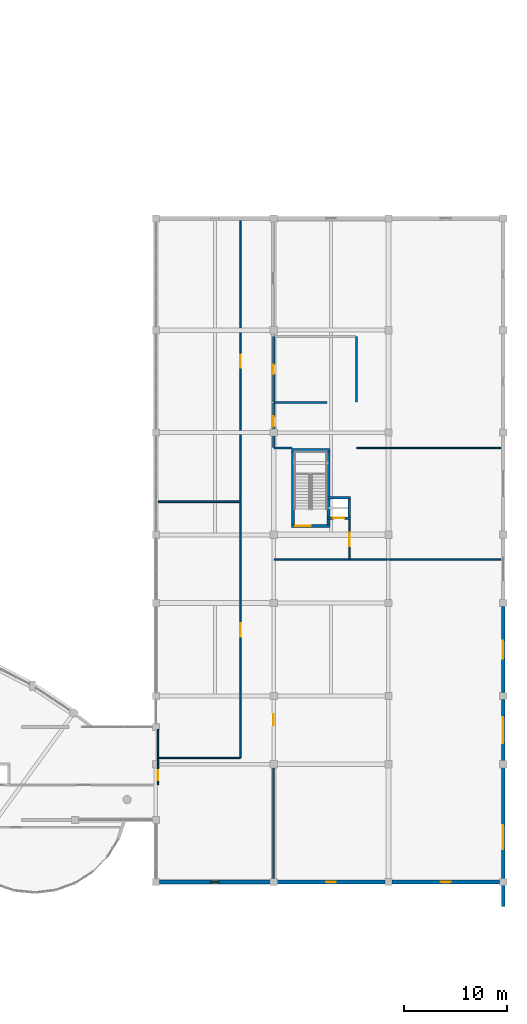
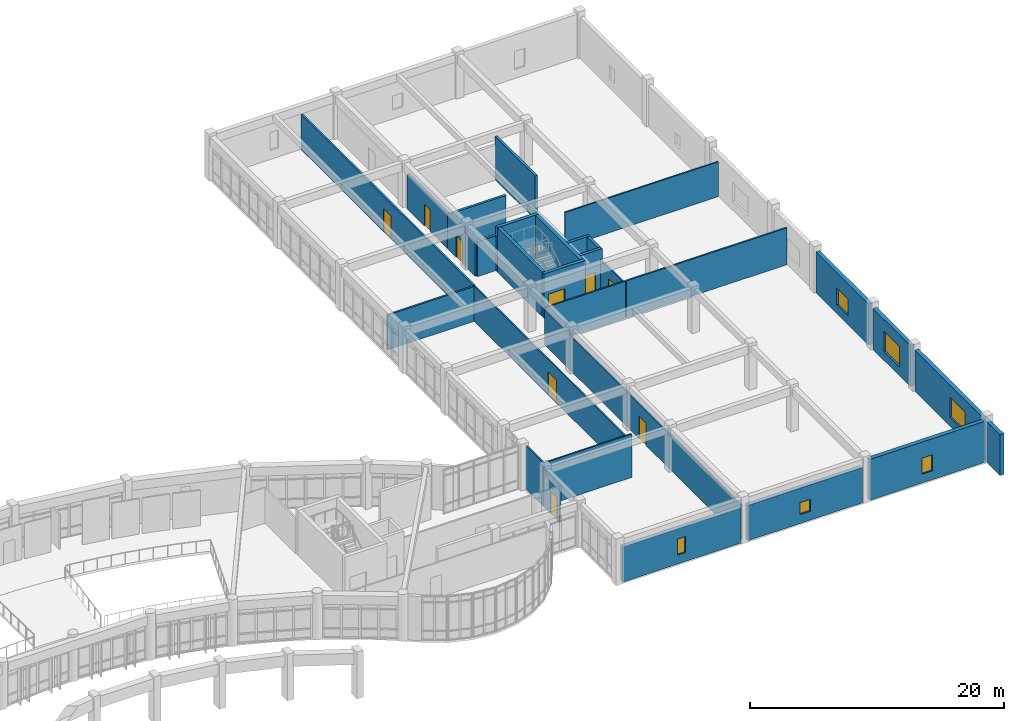
# One storey, part 48 of 57: 29 walls, 9 doors, 6 windows, 15 openings.
"""IFC4 building model written with IfcOpenShell, lengths in metres."""

from ifc_helpers import new_model, si_unit, direction, frame, frame_2d, origin, place, context, subcontext, project, spatial, rectangle, extrude, material, layer, layer_set, type_object, element, fill, save


model = new_model("IFC4")

# Units and contexts
model_context = context("Model", 3, precision=1e-05, world=origin(), true_north=direction((0.0, 1.0)))
body_context = subcontext(model_context, "Body", "Model", "MODEL_VIEW")
ifc_project = project(units=[si_unit("LENGTHUNIT", "METRE"), si_unit("AREAUNIT", "SQUARE_METRE"), si_unit("VOLUMEUNIT", "CUBIC_METRE"), si_unit("PLANEANGLEUNIT", "RADIAN"), si_unit("MASSUNIT", "GRAM", prefix="KILO")], contexts=[model_context])

# Site, building, storey
site_placement = place(None, origin())
site = spatial("IfcSite", under=ifc_project, at=site_placement, CompositionType="ELEMENT")
building_placement = place(site_placement, origin())
building = spatial("IfcBuilding", under=site, at=building_placement, Name="Miralva Faculty of Natural Sciences", CompositionType="ELEMENT")
storey_placement = place(building_placement, frame((0.0, 0.0, 15.0)))
storey = spatial("IfcBuildingStorey", under=building, at=storey_placement, Name="L03", CompositionType="ELEMENT", Elevation=15.0)

# Wall, opening, door
ifc_material_1 = material(Name="Concrete C40/50", Category="concrete")
ifc_layer_1 = layer(ifc_material_1, 0.300048828125, Name="WL-CW03")
ifc_layer_set_1 = layer_set([ifc_layer_1], Name="Concrete C40/50")
wall_type_1 = type_object("IfcWallType", Name="WL-CW03", PredefinedType="SHEAR", material=ifc_layer_set_1)
wall_1_placement = place(storey_placement, frame((146.89990234375, 46.449951171875, 0.0), z_axis=(0.0, 0.0, 1.0), x_axis=(1.0, 0.0, 0.0)))
wall_1 = element("IfcWall", 1, at=wall_1_placement, inside=storey, type_object=wall_type_1, Name="Core C4 shear wall south L03", PredefinedType="SHEAR", context=body_context, shape_type="SweptSolid", body=[
    extrude(rectangle(XDim=3.75, YDim=0.300048828125, at=frame_2d((1.875, 0.0))), origin(), (0.0, 0.0, 1.0), 4.280029296875),
])
opening_1_placement = place(wall_1_placement, frame((0.39990234375, 0.0, 0.0)))
opening_1 = element("IfcOpeningElement", 2, at=opening_1_placement, cuts=wall_1, Name="Opening D-11", PredefinedType="OPENING", context=body_context, shape_type="SweptSolid", body=[
    extrude(rectangle(XDim=1.5, YDim=2.199951171875, at=frame_2d((0.75, 1.10009765625))), frame((0.0, 0.159912109375, 0.0), z_axis=(0.0, -1.0, 0.0), x_axis=(1.0, 0.0, 0.0)), (0.0, 0.0, 1.0), 0.320068359375),
])
ifc_material_2 = material(Name="Galvanised steel", Category="steel")
door_type_1 = type_object("IfcDoorType", Name="DR-DI11", OperationType="DOUBLE_DOOR_SINGLE_SWING", PredefinedType="DOOR", material=ifc_material_2)
door_1_placement = place(opening_1_placement, frame((1.5, 0.0, 0.0), z_axis=(0.0, 0.0, 1.0), x_axis=(-1.0, 0.0, 0.0)))
door_1 = element("IfcDoor", 3, at=door_1_placement, inside=storey, type_object=door_type_1, Name="Protected exit stair door Core C4 L03", OperationType="DOUBLE_DOOR_SINGLE_SWING", OverallHeight=2.199951171875, OverallWidth=1.5, PredefinedType="DOOR", context=body_context, shape_type="SweptSolid", body=[
    extrude(rectangle(XDim=1.5, YDim=2.199951171875, at=frame_2d((0.75, 1.10009765625))), frame((0.0, 0.02490234375, 0.0), z_axis=(0.0, -1.0, 0.0), x_axis=(1.0, 0.0, 0.0)), (0.0, 0.0, 1.0), 0.050048828125),
])
fill(opening_1, door_1)

# Walls
wall_2_placement = place(storey_placement, frame((146.89990234375, 53.800048828125, 0.0), z_axis=(0.0, 0.0, 1.0), x_axis=(1.0, 0.0, 0.0)))
element("IfcWall", 4, at=wall_2_placement, inside=storey, type_object=wall_type_1, Name="Core C4 shear wall north L03", PredefinedType="SHEAR", context=body_context, shape_type="SweptSolid", body=[
    extrude(rectangle(XDim=3.75, YDim=0.300048828125, at=frame_2d((1.875, 0.0))), origin(), (0.0, 0.0, 1.0), 4.280029296875),
])
for number, where, z_axis, x_axis, name in (
    (5, (147.050048828125, 46.60009765625, 0.0), (0.0, 0.0, 1.0), (0.0, 1.0, 0.0), "Core C4 shear wall west L03"),
    (6, (150.5, 46.60009765625, 0.0), (0.0, 0.0, 1.0), (0.0, 1.0, 0.0), "Core C4 shear wall east L03"),
):
    element("IfcWall", number, at=place(storey_placement, frame(where, z_axis=z_axis, x_axis=x_axis)), inside=storey, type_object=wall_type_1, Name=name, PredefinedType="SHEAR", context=body_context, shape_type="SweptSolid", body=[
        extrude(rectangle(XDim=7.0498046875, YDim=0.300048828125, at=frame_2d((3.52490234375, 0.0))), origin(), (0.0, 0.0, 1.0), 4.280029296875),
    ])

# Wall, opening, door
ifc_layer_2 = layer(ifc_material_1, 0.25, Name="WL-CW04")
ifc_layer_set_2 = layer_set([ifc_layer_2], Name="Concrete C40/50")
wall_type_2 = type_object("IfcWallType", Name="WL-CW04", PredefinedType="SHEAR", material=ifc_layer_set_2)
wall_3_placement = place(storey_placement, frame((150.35498046875, 47.205078125, 0.0), z_axis=(0.0, 0.0, 1.0), x_axis=(1.0, 0.0, 0.0)))
wall_3 = element("IfcWall", 7, at=wall_3_placement, inside=storey, type_object=wall_type_2, Name="Lift L-06 hoistway front wall L03", PredefinedType="SHEAR", context=body_context, shape_type="SweptSolid", body=[
    extrude(rectangle(XDim=2.2900390625, YDim=0.25, at=frame_2d((1.14501953125, 0.0))), origin(), (0.0, 0.0, 1.0), 4.260009765625),
])
opening_2_placement = place(wall_3_placement, frame((0.6201171875, 0.0, 0.0)))
opening_2 = element("IfcOpeningElement", 8, at=opening_2_placement, cuts=wall_3, Name="Opening LD-03", PredefinedType="OPENING", context=body_context, shape_type="SweptSolid", body=[
    extrude(rectangle(XDim=1.050048828125, YDim=2.14990234375, at=frame_2d((0.52490234375, 1.074951171875))), frame((0.0, 0.135009765625, 0.0), z_axis=(0.0, -1.0, 0.0), x_axis=(1.0, 0.0, 0.0)), (0.0, 0.0, 1.0), 0.27001953125),
])
door_type_2 = type_object("IfcDoorType", Name="DR-LD03", OperationType="SLIDING_TO_RIGHT", PredefinedType="DOOR", material=ifc_material_2)
door_2_placement = place(opening_2_placement, frame((1.050048828125, 0.0, 0.0), z_axis=(0.0, 0.0, 1.0), x_axis=(-1.0, 0.0, 0.0)))
door_2 = element("IfcDoor", 9, at=door_2_placement, inside=storey, type_object=door_type_2, Name="Lift L-06 sliding landing door L03", OperationType="SLIDING_TO_RIGHT", OverallHeight=2.14990234375, OverallWidth=1.050048828125, PredefinedType="DOOR", context=body_context, shape_type="SweptSolid", body=[
    extrude(rectangle(XDim=1.050048828125, YDim=2.14990234375, at=frame_2d((0.52490234375, 1.074951171875))), frame((0.0, 0.02490234375, 0.0), z_axis=(0.0, -1.0, 0.0), x_axis=(1.0, 0.0, 0.0)), (0.0, 0.0, 1.0), 0.050048828125),
])
fill(opening_2, door_2)

# Walls
wall_4_placement = place(storey_placement, frame((150.35498046875, 49.195068359375, 0.0), z_axis=(0.0, 0.0, 1.0), x_axis=(1.0, 0.0, 0.0)))
element("IfcWall", 10, at=wall_4_placement, inside=storey, type_object=wall_type_2, Name="Lift L-06 hoistway rear wall L03", PredefinedType="SHEAR", context=body_context, shape_type="SweptSolid", body=[
    extrude(rectangle(XDim=2.2900390625, YDim=0.25, at=frame_2d((1.14501953125, 0.0))), origin(), (0.0, 0.0, 1.0), 4.260009765625),
])
wall_5_placement = place(storey_placement, frame((152.52001953125, 47.330078125, 0.0), z_axis=(0.0, 0.0, 1.0), x_axis=(0.0, 1.0, 0.0)))
element("IfcWall", 11, at=wall_5_placement, inside=storey, type_object=wall_type_2, Name="Lift L-06 hoistway E wall L03", PredefinedType="SHEAR", context=body_context, shape_type="SweptSolid", body=[
    extrude(rectangle(XDim=1.739990234375, YDim=0.25, at=frame_2d((0.8701171875, 0.0))), origin(), (0.0, 0.0, 1.0), 4.260009765625),
])
ifc_material_3 = material(Name="Gypsum plasterboard")
ifc_layer_3 = layer(ifc_material_3, 0.159912109375, Name="WL-PT03")
ifc_layer_set_3 = layer_set([ifc_layer_3], Name="Gypsum plasterboard")
wall_type_3 = type_object("IfcWallType", Name="WL-PT03", PredefinedType="PARTITIONING", material=ifc_layer_set_3)
wall_6_placement = place(storey_placement, frame((134.030029296875, 48.800048828125, 0.0), z_axis=(0.0, 0.0, 1.0), x_axis=(1.0, 0.0, 0.0)))
element("IfcWall", 12, at=wall_6_placement, inside=storey, type_object=wall_type_3, Name="Interior partition PT-03 L03-366", PredefinedType="PARTITIONING", context=body_context, shape_type="SweptSolid", body=[
    extrude(rectangle(XDim=7.93994140625, YDim=0.159912109375, at=frame_2d((3.969970703125, 0.0))), origin(), (0.0, 0.0, 1.0), 3.35498046875),
])

# Wall, opening, door
wall_7_placement = place(storey_placement, frame((142.0, 48.830078125, 0.0), z_axis=(0.0, 0.0, 1.0), x_axis=(0.0, 1.0, 0.0)))
wall_7 = element("IfcWall", 13, at=wall_7_placement, inside=storey, type_object=wall_type_3, Name="Interior partition PT-03 L03-372", PredefinedType="PARTITIONING", context=body_context, shape_type="SweptSolid", body=[
    extrude(rectangle(XDim=27.139892578125, YDim=0.159912109375, at=frame_2d((13.56982421875, 0.0))), origin(), (0.0, 0.0, 1.0), 3.405029296875),
])
opening_3_placement = place(wall_7_placement, frame((12.945068359375, 0.0, 0.0)))
opening_3 = element("IfcOpeningElement", 14, at=opening_3_placement, cuts=wall_7, Name="Opening D-23", PredefinedType="OPENING", context=body_context, shape_type="SweptSolid", body=[
    extrude(rectangle(XDim=1.25, YDim=2.199951171875, at=frame_2d((0.625, 1.10009765625))), frame((0.0, 0.08984375, 0.0), z_axis=(0.0, -1.0, 0.0), x_axis=(1.0, 0.0, 0.0)), (0.0, 0.0, 1.0), 0.179931640625),
])
ifc_material_4 = material(Name="Anodised aluminium", Category="aluminium")
door_type_3 = type_object("IfcDoorType", Name="DR-DI23", OperationType="NOTDEFINED", PredefinedType="DOOR", material=ifc_material_4)
door_3_placement = place(opening_3_placement, origin())
door_3 = element("IfcDoor", 15, at=door_3_placement, inside=storey, type_object=door_type_3, Name="Interior door D-23 L03-136", OperationType="SINGLE_SWING_LEFT", OverallHeight=2.199951171875, OverallWidth=1.25, PredefinedType="DOOR", context=body_context, shape_type="SweptSolid", body=[
    extrude(rectangle(XDim=1.25, YDim=2.199951171875, at=frame_2d((0.625, 1.10009765625))), frame((0.0, 0.02490234375, 0.0), z_axis=(0.0, -1.0, 0.0), x_axis=(1.0, 0.0, 0.0)), (0.0, 0.0, 1.0), 0.050048828125),
])
fill(opening_3, door_3)

# Wall
ifc_layer_4 = layer(ifc_material_3, 0.139892578125, Name="WL-PT04")
ifc_layer_set_4 = layer_set([ifc_layer_4], Name="Gypsum plasterboard")
wall_type_4 = type_object("IfcWallType", Name="WL-PT04", PredefinedType="PARTITIONING", material=ifc_layer_set_4)
wall_8_placement = place(storey_placement, frame((152.550048828125, 43.199951171875, 0.0), z_axis=(0.0, 0.0, 1.0), x_axis=(1.0, 0.0, 0.0)))
element("IfcWall", 16, at=wall_8_placement, inside=storey, type_object=wall_type_4, Name="Interior partition PT-04 L03-369", PredefinedType="PARTITIONING", context=body_context, shape_type="SweptSolid", body=[
    extrude(rectangle(XDim=14.619873046875, YDim=0.139892578125, at=frame_2d((7.31005859375, 0.0))), origin(), (0.0, 0.0, 1.0), 3.554931640625),
])

# Wall, opening, door
wall_9_placement = place(storey_placement, frame((145.199951171875, 12.22998046875, 0.0), z_axis=(0.0, 0.0, 1.0), x_axis=(0.0, 1.0, 0.0)))
wall_9 = element("IfcWall", 17, at=wall_9_placement, inside=storey, type_object=wall_type_4, Name="Interior partition PT-04 L03-370", PredefinedType="PARTITIONING", context=body_context, shape_type="SweptSolid", body=[
    extrude(rectangle(XDim=30.93994140625, YDim=0.139892578125, at=frame_2d((15.469970703125, 0.0))), origin(), (0.0, 0.0, 1.0), 3.35498046875),
])
opening_4_placement = place(wall_9_placement, frame((14.929931640625, 0.0, 0.0)))
opening_4 = element("IfcOpeningElement", 18, at=opening_4_placement, cuts=wall_9, Name="Opening D-32", PredefinedType="OPENING", context=body_context, shape_type="SweptSolid", body=[
    extrude(rectangle(XDim=1.080078125, YDim=2.14990234375, at=frame_2d((0.5400390625, 1.074951171875))), frame((0.0, 0.079833984375, 0.0), z_axis=(0.0, -1.0, 0.0), x_axis=(1.0, 0.0, 0.0)), (0.0, 0.0, 1.0), 0.159912109375),
])
door_type_4 = type_object("IfcDoorType", Name="DR-DI32", OperationType="NOTDEFINED", PredefinedType="DOOR", material=ifc_material_4)
door_4_placement = place(opening_4_placement, origin())
door_4 = element("IfcDoor", 19, at=door_4_placement, inside=storey, type_object=door_type_4, Name="Interior door D-32 L03-135", OperationType="SINGLE_SWING_RIGHT", OverallHeight=2.14990234375, OverallWidth=1.080078125, PredefinedType="DOOR", context=body_context, shape_type="SweptSolid", body=[
    extrude(rectangle(XDim=1.080078125, YDim=2.14990234375, at=frame_2d((0.5400390625, 1.074951171875))), frame((0.0, 0.02490234375, 0.0), z_axis=(0.0, -1.0, 0.0), x_axis=(1.0, 0.0, 0.0)), (0.0, 0.0, 1.0), 0.050048828125),
])
fill(opening_4, door_4)

# Walls
wall_10_placement = place(storey_placement, frame((145.22998046875, 43.199951171875, 0.0), z_axis=(0.0, 0.0, 1.0), x_axis=(1.0, 0.0, 0.0)))
element("IfcWall", 20, at=wall_10_placement, inside=storey, type_object=wall_type_4, Name="Interior partition PT-04 L03-371", PredefinedType="PARTITIONING", context=body_context, shape_type="SweptSolid", body=[
    extrude(rectangle(XDim=7.260009765625, YDim=0.139892578125, at=frame_2d((3.6298828125, 0.0))), origin(), (0.0, 0.0, 1.0), 3.554931640625),
])
ifc_layer_5 = layer(ifc_material_3, 0.125, Name="WL-PT05")
ifc_layer_set_5 = layer_set([ifc_layer_5], Name="Gypsum plasterboard")
wall_type_5 = type_object("IfcWallType", Name="WL-PT05", PredefinedType="PARTITIONING", material=ifc_layer_set_5)
wall_11_placement = place(storey_placement, frame((134.0, 24.030029296875, 0.0), z_axis=(0.0, 0.0, 1.0), x_axis=(0.0, 1.0, 0.0)))
element("IfcWall", 21, at=wall_11_placement, inside=storey, type_object=wall_type_5, Name="Interior partition PT-05 L03-364", PredefinedType="PARTITIONING", context=body_context, shape_type="SweptSolid", body=[
    extrude(rectangle(XDim=2.739990234375, YDim=0.125, at=frame_2d((1.3701171875, 0.0))), origin(), (0.0, 0.0, 1.0), 4.179931640625),
])

# Wall, opening, door
wall_12_placement = place(storey_placement, frame((134.0, 21.429931640625, 0.0), z_axis=(0.0, 0.0, 1.0), x_axis=(0.0, 1.0, 0.0)))
wall_12 = element("IfcWall", 22, at=wall_12_placement, inside=storey, type_object=wall_type_5, Name="Interior partition PT-05 L03-365", PredefinedType="PARTITIONING", context=body_context, shape_type="SweptSolid", body=[
    extrude(rectangle(XDim=2.5400390625, YDim=0.125, at=frame_2d((1.27001953125, 0.0))), origin(), (0.0, 0.0, 1.0), 3.554931640625),
])
opening_5_placement = place(wall_12_placement, frame((0.409912109375, 0.0, 0.0)))
opening_5 = element("IfcOpeningElement", 23, at=opening_5_placement, cuts=wall_12, Name="Opening D-25", PredefinedType="OPENING", context=body_context, shape_type="SweptSolid", body=[
    extrude(rectangle(XDim=1.0, YDim=2.14990234375, at=frame_2d((0.5, 1.074951171875))), frame((0.0, 0.072509765625, 0.0), z_axis=(0.0, -1.0, 0.0), x_axis=(1.0, 0.0, 0.0)), (0.0, 0.0, 1.0), 0.14501953125),
])
door_type_5 = type_object("IfcDoorType", Name="DR-DI25", OperationType="NOTDEFINED", PredefinedType="DOOR", material=ifc_material_4)
door_5_placement = place(opening_5_placement, origin())
door_5 = element("IfcDoor", 24, at=door_5_placement, inside=storey, type_object=door_type_5, Name="Interior door D-25 L03-132", OperationType="SINGLE_SWING_LEFT", OverallHeight=2.14990234375, OverallWidth=1.0, PredefinedType="DOOR", context=body_context, shape_type="SweptSolid", body=[
    extrude(rectangle(XDim=1.0, YDim=2.14990234375, at=frame_2d((0.5, 1.074951171875))), frame((0.0, 0.02490234375, 0.0), z_axis=(0.0, -1.0, 0.0), x_axis=(1.0, 0.0, 0.0)), (0.0, 0.0, 1.0), 0.050048828125),
])
fill(opening_5, door_5)

wall_13_placement = place(storey_placement, frame((142.0, 24.030029296875, 0.0), z_axis=(0.0, 0.0, 1.0), x_axis=(0.0, 1.0, 0.0)))
wall_13 = element("IfcWall", 25, at=wall_13_placement, inside=storey, type_object=wall_type_5, Name="Interior partition PT-05 L03-367", PredefinedType="PARTITIONING", context=body_context, shape_type="SweptSolid", body=[
    extrude(rectangle(XDim=24.739990234375, YDim=0.125, at=frame_2d((12.3701171875, 0.0))), origin(), (0.0, 0.0, 1.0), 3.385009765625),
])
opening_6_placement = place(wall_13_placement, frame((11.719970703125, 0.0, 0.0)))
opening_6 = element("IfcOpeningElement", 26, at=opening_6_placement, cuts=wall_13, Name="Opening D-36", PredefinedType="OPENING", context=body_context, shape_type="SweptSolid", body=[
    extrude(rectangle(XDim=1.300048828125, YDim=2.199951171875, at=frame_2d((0.64990234375, 1.10009765625))), frame((0.0, 0.072509765625, 0.0), z_axis=(0.0, -1.0, 0.0), x_axis=(1.0, 0.0, 0.0)), (0.0, 0.0, 1.0), 0.14501953125),
])
door_type_6 = type_object("IfcDoorType", Name="DR-DI36", OperationType="NOTDEFINED", PredefinedType="DOOR", material=ifc_material_4)
door_6_placement = place(opening_6_placement, origin())
door_6 = element("IfcDoor", 27, at=door_6_placement, inside=storey, type_object=door_type_6, Name="Interior door D-36 L03-134", OperationType="SINGLE_SWING_LEFT", OverallHeight=2.199951171875, OverallWidth=1.300048828125, PredefinedType="DOOR", context=body_context, shape_type="SweptSolid", body=[
    extrude(rectangle(XDim=1.300048828125, YDim=2.199951171875, at=frame_2d((0.64990234375, 1.10009765625))), frame((0.0, 0.02490234375, 0.0), z_axis=(0.0, -1.0, 0.0), x_axis=(1.0, 0.0, 0.0)), (0.0, 0.0, 1.0), 0.050048828125),
])
fill(opening_6, door_6)

# Walls
wall_14_placement = place(storey_placement, frame((134.030029296875, 24.0, 0.0), z_axis=(0.0, 0.0, 1.0), x_axis=(1.0, 0.0, 0.0)))
element("IfcWall", 28, at=wall_14_placement, inside=storey, type_object=wall_type_5, Name="Interior partition PT-05 L03-368", PredefinedType="PARTITIONING", context=body_context, shape_type="SweptSolid", body=[
    extrude(rectangle(XDim=7.93994140625, YDim=0.125, at=frame_2d((3.969970703125, 0.0))), origin(), (0.0, 0.0, 1.0), 4.179931640625),
])
wall_15_placement = place(storey_placement, frame((153.22998046875, 54.0, 0.0), z_axis=(0.0, 0.0, 1.0), x_axis=(1.0, 0.0, 0.0)))
element("IfcWall", 29, at=wall_15_placement, inside=storey, type_object=wall_type_5, Name="Interior partition PT-05 L03-373", PredefinedType="PARTITIONING", context=body_context, shape_type="SweptSolid", body=[
    extrude(rectangle(XDim=13.93994140625, YDim=0.125, at=frame_2d((6.969970703125, 0.0))), origin(), (0.0, 0.0, 1.0), 3.35498046875),
])

# Wall, opening, door
wall_16_placement = place(storey_placement, frame((152.52001953125, 43.22998046875, 0.0), z_axis=(0.0, 0.0, 1.0), x_axis=(0.0, 1.0, 0.0)))
wall_16 = element("IfcWall", 30, at=wall_16_placement, inside=storey, type_object=wall_type_5, Name="Interior partition PT-05 L03-374", PredefinedType="PARTITIONING", context=body_context, shape_type="SweptSolid", body=[
    extrude(rectangle(XDim=3.81494140625, YDim=0.125, at=frame_2d((1.907470703125, 0.0))), origin(), (0.0, 0.0, 1.0), 3.284912109375),
])
opening_7_placement = place(wall_16_placement, frame((1.257568359375, 0.0, 0.0)))
opening_7 = element("IfcOpeningElement", 31, at=opening_7_placement, cuts=wall_16, Name="Opening D-36", PredefinedType="OPENING", context=body_context, shape_type="SweptSolid", body=[
    extrude(rectangle(XDim=1.300048828125, YDim=2.199951171875, at=frame_2d((0.64990234375, 1.10009765625))), frame((0.0, 0.072509765625, 0.0), z_axis=(0.0, -1.0, 0.0), x_axis=(1.0, 0.0, 0.0)), (0.0, 0.0, 1.0), 0.14501953125),
])
door_7_placement = place(opening_7_placement, origin())
door_7 = element("IfcDoor", 32, at=door_7_placement, inside=storey, type_object=door_type_6, Name="Interior door D-36 L03-137", OperationType="SINGLE_SWING_RIGHT", OverallHeight=2.199951171875, OverallWidth=1.300048828125, PredefinedType="DOOR", context=body_context, shape_type="SweptSolid", body=[
    extrude(rectangle(XDim=1.300048828125, YDim=2.199951171875, at=frame_2d((0.64990234375, 1.10009765625))), frame((0.0, 0.02490234375, 0.0), z_axis=(0.0, -1.0, 0.0), x_axis=(1.0, 0.0, 0.0)), (0.0, 0.0, 1.0), 0.050048828125),
])
fill(opening_7, door_7)

# Walls
ifc_layer_6 = layer(ifc_material_3, 0.2099609375, Name="WL-PT06")
ifc_layer_set_6 = layer_set([ifc_layer_6], Name="Gypsum plasterboard")
wall_type_6 = type_object("IfcWallType", Name="WL-PT06", PredefinedType="PLUMBINGWALL", material=ifc_layer_set_6)
wall_17_placement = place(storey_placement, frame((145.22998046875, 58.39990234375, 0.0), z_axis=(0.0, 0.0, 1.0), x_axis=(1.0, 0.0, 0.0)))
element("IfcWall", 33, at=wall_17_placement, inside=storey, type_object=wall_type_6, Name="Interior partition PT-06 L03-375", PredefinedType="PLUMBINGWALL", context=body_context, shape_type="SweptSolid", body=[
    extrude(rectangle(XDim=5.14013671875, YDim=0.2099609375, at=frame_2d((2.570068359375, 0.0))), origin(), (0.0, 0.0, 1.0), 3.35498046875),
])
wall_18_placement = place(storey_placement, frame((145.22998046875, 54.0, 0.0), z_axis=(0.0, 0.0, 1.0), x_axis=(1.0, 0.0, 0.0)))
element("IfcWall", 34, at=wall_18_placement, inside=storey, type_object=wall_type_6, Name="Interior partition PT-06 L03-376", PredefinedType="PLUMBINGWALL", context=body_context, shape_type="SweptSolid", body=[
    extrude(rectangle(XDim=1.739990234375, YDim=0.2099609375, at=frame_2d((0.8701171875, 0.0))), origin(), (0.0, 0.0, 1.0), 3.35498046875),
])

# Wall, opening, door
wall_19_placement = place(storey_placement, frame((145.199951171875, 54.030029296875, 0.0), z_axis=(0.0, 0.0, 1.0), x_axis=(0.0, 1.0, 0.0)))
wall_19 = element("IfcWall", 35, at=wall_19_placement, inside=storey, type_object=wall_type_6, Name="Interior partition PT-06 L03-377", PredefinedType="PLUMBINGWALL", context=body_context, shape_type="SweptSolid", body=[
    extrude(rectangle(XDim=4.340087890625, YDim=0.2099609375, at=frame_2d((2.169921875, 0.0))), origin(), (0.0, 0.0, 1.0), 3.35498046875),
])
opening_8_placement = place(wall_19_placement, frame((2.0400390625, 0.0, 0.0)))
opening_8 = element("IfcOpeningElement", 36, at=opening_8_placement, cuts=wall_19, Name="Opening D-26", PredefinedType="OPENING", context=body_context, shape_type="SweptSolid", body=[
    extrude(rectangle(XDim=0.97998046875, YDim=2.10009765625, at=frame_2d((0.489990234375, 1.050048828125))), frame((0.0, 0.114990234375, 0.0), z_axis=(0.0, -1.0, 0.0), x_axis=(1.0, 0.0, 0.0)), (0.0, 0.0, 1.0), 0.22998046875),
])
door_type_7 = type_object("IfcDoorType", Name="DR-DI26", OperationType="NOTDEFINED", PredefinedType="DOOR", material=ifc_material_4)
door_8_placement = place(opening_8_placement, origin())
door_8 = element("IfcDoor", 37, at=door_8_placement, inside=storey, type_object=door_type_7, Name="Interior door D-26 L03-138", OperationType="SINGLE_SWING_LEFT", OverallHeight=2.10009765625, OverallWidth=0.97998046875, PredefinedType="DOOR", context=body_context, shape_type="SweptSolid", body=[
    extrude(rectangle(XDim=0.97998046875, YDim=2.10009765625, at=frame_2d((0.489990234375, 1.050048828125))), frame((0.0, 0.02490234375, 0.0), z_axis=(0.0, -1.0, 0.0), x_axis=(1.0, 0.0, 0.0)), (0.0, 0.0, 1.0), 0.050048828125),
])
fill(opening_8, door_8)

# Wall
wall_20_placement = place(storey_placement, frame((153.199951171875, 58.429931640625, 0.0), z_axis=(0.0, 0.0, 1.0), x_axis=(0.0, 1.0, 0.0)))
element("IfcWall", 38, at=wall_20_placement, inside=storey, type_object=wall_type_6, Name="Interior partition PT-06 L03-379", PredefinedType="PLUMBINGWALL", context=body_context, shape_type="SweptSolid", body=[
    extrude(rectangle(XDim=6.340087890625, YDim=0.2099609375, at=frame_2d((3.169921875, 0.0))), origin(), (0.0, 0.0, 1.0), 4.179931640625),
])

# Wall, opening, door
wall_21_placement = place(storey_placement, frame((145.199951171875, 58.429931640625, 0.0), z_axis=(0.0, 0.0, 1.0), x_axis=(0.0, 1.0, 0.0)))
wall_21 = element("IfcWall", 39, at=wall_21_placement, inside=storey, type_object=wall_type_6, Name="Interior partition PT-06 L03-380", PredefinedType="PLUMBINGWALL", context=body_context, shape_type="SweptSolid", body=[
    extrude(rectangle(XDim=6.340087890625, YDim=0.2099609375, at=frame_2d((3.169921875, 0.0))), origin(), (0.0, 0.0, 1.0), 3.35498046875),
])
opening_9_placement = place(wall_21_placement, frame((2.7099609375, 0.0, 0.0)))
opening_9 = element("IfcOpeningElement", 40, at=opening_9_placement, cuts=wall_21, Name="Opening D-27", PredefinedType="OPENING", context=body_context, shape_type="SweptSolid", body=[
    extrude(rectangle(XDim=0.919921875, YDim=2.10009765625, at=frame_2d((0.4599609375, 1.050048828125))), frame((0.0, 0.114990234375, 0.0), z_axis=(0.0, -1.0, 0.0), x_axis=(1.0, 0.0, 0.0)), (0.0, 0.0, 1.0), 0.22998046875),
])
door_type_8 = type_object("IfcDoorType", Name="DR-DI27", OperationType="NOTDEFINED", PredefinedType="DOOR", material=ifc_material_4)
door_9_placement = place(opening_9_placement, origin())
door_9 = element("IfcDoor", 41, at=door_9_placement, inside=storey, type_object=door_type_8, Name="Interior door D-27 L03-139", OperationType="SINGLE_SWING_RIGHT", OverallHeight=2.10009765625, OverallWidth=0.919921875, PredefinedType="DOOR", context=body_context, shape_type="SweptSolid", body=[
    extrude(rectangle(XDim=0.919921875, YDim=2.10009765625, at=frame_2d((0.4599609375, 1.050048828125))), frame((0.0, 0.02490234375, 0.0), z_axis=(0.0, -1.0, 0.0), x_axis=(1.0, 0.0, 0.0)), (0.0, 0.0, 1.0), 0.050048828125),
])
fill(opening_9, door_9)

# Wall, opening, window
ifc_material_5 = material(Name="Volcanic tuff architectural stone", Category="masonry")
ifc_layer_7 = layer(ifc_material_5, 0.360107421875, Name="WL-WT01")
ifc_layer_set_7 = layer_set([ifc_layer_7], Name="Volcanic tuff architectural stone")
wall_type_7 = type_object("IfcWallType", Name="WL-WT01", PredefinedType="SOLIDWALL", material=ifc_layer_set_7)
wall_22_placement = place(storey_placement, frame((167.39990234375, 9.6201171875, 0.0), z_axis=(0.0, 0.0, 1.0), x_axis=(0.0, 1.0, 0.0)))
wall_22 = element("IfcWall", 42, at=wall_22_placement, inside=storey, type_object=wall_type_7, Name="Exterior wall L03-325", PredefinedType="SOLIDWALL", context=body_context, shape_type="SweptSolid", body=[
    extrude(rectangle(XDim=13.44482421875, YDim=0.360107421875, at=frame_2d((6.722412109375, 0.0))), origin(), (0.0, 0.0, 1.0), 3.945068359375),
])
opening_10_placement = place(wall_22_placement, frame((5.547607421875, 0.0, 0.85009765625)))
opening_10 = element("IfcOpeningElement", 43, at=opening_10_placement, cuts=wall_22, Name="Opening W-30", PredefinedType="OPENING", context=body_context, shape_type="SweptSolid", body=[
    extrude(rectangle(XDim=2.35009765625, YDim=1.89990234375, at=frame_2d((1.175048828125, 0.949951171875))), frame((0.0, 0.18994140625, 0.0), z_axis=(0.0, -1.0, 0.0), x_axis=(1.0, 0.0, 0.0)), (0.0, 0.0, 1.0), 0.380126953125),
])
ifc_material_6 = material(Name="Laminated solar-control glass", Category="glass")
window_type_1 = type_object("IfcWindowType", Name="WN-W30", PartitioningType="DOUBLE_PANEL_VERTICAL", PredefinedType="WINDOW", material=ifc_material_6)
window_1_placement = place(opening_10_placement, frame((2.35009765625, 0.0, 0.0), z_axis=(0.0, 0.0, 1.0), x_axis=(-1.0, 0.0, 0.0)))
window_1 = element("IfcWindow", 44, at=window_1_placement, inside=storey, type_object=window_type_1, Name="Window W-30 L03-250", OverallHeight=1.89990234375, OverallWidth=2.35009765625, PartitioningType="DOUBLE_PANEL_VERTICAL", PredefinedType="WINDOW", context=body_context, shape_type="SweptSolid", body=[
    extrude(rectangle(XDim=2.35009765625, YDim=1.89990234375, at=frame_2d((1.175048828125, 0.949951171875))), frame((0.0, 0.030029296875, 0.0), z_axis=(0.0, -1.0, 0.0), x_axis=(1.0, 0.0, 0.0)), (0.0, 0.0, 1.0), 0.06005859375),
])
fill(opening_10, window_1)

wall_23_placement = place(storey_placement, frame((167.39990234375, 23.735107421875, 0.0), z_axis=(0.0, 0.0, 1.0), x_axis=(0.0, 1.0, 0.0)))
wall_23 = element("IfcWall", 45, at=wall_23_placement, inside=storey, type_object=wall_type_7, Name="Exterior wall L03-326", PredefinedType="SOLIDWALL", context=body_context, shape_type="SweptSolid", body=[
    extrude(rectangle(XDim=5.929931640625, YDim=0.360107421875, at=frame_2d((2.96484375, 0.0))), origin(), (0.0, 0.0, 1.0), 3.945068359375),
])
opening_11_placement = place(wall_23_placement, frame((1.715087890625, 0.0, 0.85009765625)))
opening_11 = element("IfcOpeningElement", 46, at=opening_11_placement, cuts=wall_23, Name="Opening W-31", PredefinedType="OPENING", context=body_context, shape_type="SweptSolid", body=[
    extrude(rectangle(XDim=2.5, YDim=1.949951171875, at=frame_2d((1.25, 0.97509765625))), frame((0.0, 0.18994140625, 0.0), z_axis=(0.0, -1.0, 0.0), x_axis=(1.0, 0.0, 0.0)), (0.0, 0.0, 1.0), 0.380126953125),
])
window_type_2 = type_object("IfcWindowType", Name="WN-W31", PartitioningType="DOUBLE_PANEL_VERTICAL", PredefinedType="WINDOW", material=ifc_material_6)
window_2_placement = place(opening_11_placement, frame((2.5, 0.0, 0.0), z_axis=(0.0, 0.0, 1.0), x_axis=(-1.0, 0.0, 0.0)))
window_2 = element("IfcWindow", 47, at=window_2_placement, inside=storey, type_object=window_type_2, Name="Window W-31 L03-251", OverallHeight=1.949951171875, OverallWidth=2.5, PartitioningType="DOUBLE_PANEL_VERTICAL", PredefinedType="WINDOW", context=body_context, shape_type="SweptSolid", body=[
    extrude(rectangle(XDim=2.5, YDim=1.949951171875, at=frame_2d((1.25, 0.97509765625))), frame((0.0, 0.030029296875, 0.0), z_axis=(0.0, -1.0, 0.0), x_axis=(1.0, 0.0, 0.0)), (0.0, 0.0, 1.0), 0.06005859375),
])
fill(opening_11, window_2)

wall_24_placement = place(storey_placement, frame((167.39990234375, 30.3349609375, 0.0), z_axis=(0.0, 0.0, 1.0), x_axis=(0.0, 1.0, 0.0)))
wall_24 = element("IfcWall", 48, at=wall_24_placement, inside=storey, type_object=wall_type_7, Name="Exterior wall L03-327", PredefinedType="SOLIDWALL", context=body_context, shape_type="SweptSolid", body=[
    extrude(rectangle(XDim=8.330078125, YDim=0.360107421875, at=frame_2d((4.1650390625, 0.0))), origin(), (0.0, 0.0, 1.0), 3.945068359375),
])
opening_12_placement = place(wall_24_placement, frame((3.2900390625, 0.0, 0.85009765625)))
opening_12 = element("IfcOpeningElement", 49, at=opening_12_placement, cuts=wall_24, Name="Opening W-38", PredefinedType="OPENING", context=body_context, shape_type="SweptSolid", body=[
    extrude(rectangle(XDim=1.75, YDim=1.60009765625, at=frame_2d((0.875, 0.800048828125))), frame((0.0, 0.18994140625, 0.0), z_axis=(0.0, -1.0, 0.0), x_axis=(1.0, 0.0, 0.0)), (0.0, 0.0, 1.0), 0.380126953125),
])
window_type_3 = type_object("IfcWindowType", Name="WN-W38", PartitioningType="DOUBLE_PANEL_VERTICAL", PredefinedType="WINDOW", material=ifc_material_6)
window_3_placement = place(opening_12_placement, frame((1.75, 0.0, 0.0), z_axis=(0.0, 0.0, 1.0), x_axis=(-1.0, 0.0, 0.0)))
window_3 = element("IfcWindow", 50, at=window_3_placement, inside=storey, type_object=window_type_3, Name="Window W-38 L03-252", OverallHeight=1.60009765625, OverallWidth=1.75, PartitioningType="DOUBLE_PANEL_VERTICAL", PredefinedType="WINDOW", context=body_context, shape_type="SweptSolid", body=[
    extrude(rectangle(XDim=1.75, YDim=1.60009765625, at=frame_2d((0.875, 0.800048828125))), frame((0.0, 0.030029296875, 0.0), z_axis=(0.0, -1.0, 0.0), x_axis=(1.0, 0.0, 0.0)), (0.0, 0.0, 1.0), 0.06005859375),
])
fill(opening_12, window_3)

wall_25_placement = place(storey_placement, frame((134.135009765625, 12.0, 0.0), z_axis=(0.0, 0.0, 1.0), x_axis=(1.0, 0.0, 0.0)))
wall_25 = element("IfcWall", 51, at=wall_25_placement, inside=storey, type_object=wall_type_7, Name="Exterior wall L03-332", PredefinedType="SOLIDWALL", context=body_context, shape_type="SweptSolid", body=[
    extrude(rectangle(XDim=10.72998046875, YDim=0.360107421875, at=frame_2d((5.364990234375, 0.0))), origin(), (0.0, 0.0, 1.0), 3.385009765625),
])
opening_13_placement = place(wall_25_placement, frame((4.989990234375, 0.0, 0.85009765625)))
opening_13 = element("IfcOpeningElement", 52, at=opening_13_placement, cuts=wall_25, Name="Opening W-43", PredefinedType="OPENING", context=body_context, shape_type="SweptSolid", body=[
    extrude(rectangle(XDim=0.75, YDim=1.550048828125, at=frame_2d((0.375, 0.77490234375))), frame((0.0, 0.18994140625, 0.0), z_axis=(0.0, -1.0, 0.0), x_axis=(1.0, 0.0, 0.0)), (0.0, 0.0, 1.0), 0.380126953125),
])
window_type_4 = type_object("IfcWindowType", Name="WN-W43", PartitioningType="DOUBLE_PANEL_VERTICAL", PredefinedType="WINDOW", material=ifc_material_6)
window_4_placement = place(opening_13_placement, frame((0.75, 0.0, 0.0), z_axis=(0.0, 0.0, 1.0), x_axis=(-1.0, 0.0, 0.0)))
window_4 = element("IfcWindow", 53, at=window_4_placement, inside=storey, type_object=window_type_4, Name="Window W-43 L03-257", OverallHeight=1.550048828125, OverallWidth=0.75, PartitioningType="DOUBLE_PANEL_VERTICAL", PredefinedType="WINDOW", context=body_context, shape_type="SweptSolid", body=[
    extrude(rectangle(XDim=0.75, YDim=1.550048828125, at=frame_2d((0.375, 0.77490234375))), frame((0.0, 0.030029296875, 0.0), z_axis=(0.0, -1.0, 0.0), x_axis=(1.0, 0.0, 0.0)), (0.0, 0.0, 1.0), 0.06005859375),
])
fill(opening_13, window_4)

wall_26_placement = place(storey_placement, frame((145.534912109375, 12.0, 0.0), z_axis=(0.0, 0.0, 1.0), x_axis=(1.0, 0.0, 0.0)))
wall_26 = element("IfcWall", 54, at=wall_26_placement, inside=storey, type_object=wall_type_7, Name="Exterior wall L03-334", PredefinedType="SOLIDWALL", context=body_context, shape_type="SweptSolid", body=[
    extrude(rectangle(XDim=10.43017578125, YDim=0.360107421875, at=frame_2d((5.215087890625, 0.0))), origin(), (0.0, 0.0, 1.0), 3.405029296875),
])
opening_14_placement = place(wall_26_placement, frame((4.739990234375, 0.0, 0.85009765625)))
opening_14 = element("IfcOpeningElement", 55, at=opening_14_placement, cuts=wall_26, Name="Opening W-45", PredefinedType="OPENING", context=body_context, shape_type="SweptSolid", body=[
    extrude(rectangle(XDim=0.949951171875, YDim=1.14990234375, at=frame_2d((0.47509765625, 0.574951171875))), frame((0.0, 0.18994140625, 0.0), z_axis=(0.0, -1.0, 0.0), x_axis=(1.0, 0.0, 0.0)), (0.0, 0.0, 1.0), 0.380126953125),
])
window_type_5 = type_object("IfcWindowType", Name="WN-W45", PartitioningType="DOUBLE_PANEL_VERTICAL", PredefinedType="WINDOW", material=ifc_material_6)
window_5_placement = place(opening_14_placement, frame((0.949951171875, 0.0, 0.0), z_axis=(0.0, 0.0, 1.0), x_axis=(-1.0, 0.0, 0.0)))
window_5 = element("IfcWindow", 56, at=window_5_placement, inside=storey, type_object=window_type_5, Name="Window W-45 L03-259", OverallHeight=1.14990234375, OverallWidth=0.949951171875, PartitioningType="DOUBLE_PANEL_VERTICAL", PredefinedType="WINDOW", context=body_context, shape_type="SweptSolid", body=[
    extrude(rectangle(XDim=0.949951171875, YDim=1.14990234375, at=frame_2d((0.47509765625, 0.574951171875))), frame((0.0, 0.030029296875, 0.0), z_axis=(0.0, -1.0, 0.0), x_axis=(1.0, 0.0, 0.0)), (0.0, 0.0, 1.0), 0.06005859375),
])
fill(opening_14, window_5)

wall_27_placement = place(storey_placement, frame((156.635009765625, 12.0, 0.0), z_axis=(0.0, 0.0, 1.0), x_axis=(1.0, 0.0, 0.0)))
wall_27 = element("IfcWall", 57, at=wall_27_placement, inside=storey, type_object=wall_type_7, Name="Exterior wall L03-336", PredefinedType="SOLIDWALL", context=body_context, shape_type="SweptSolid", body=[
    extrude(rectangle(XDim=10.429931640625, YDim=0.360107421875, at=frame_2d((5.21484375, 0.0))), origin(), (0.0, 0.0, 1.0), 3.945068359375),
])
opening_15_placement = place(wall_27_placement, frame((4.739990234375, 0.0, 0.85009765625)))
opening_15 = element("IfcOpeningElement", 58, at=opening_15_placement, cuts=wall_27, Name="Opening W-47", PredefinedType="OPENING", context=body_context, shape_type="SweptSolid", body=[
    extrude(rectangle(XDim=0.949951171875, YDim=1.550048828125, at=frame_2d((0.47509765625, 0.77490234375))), frame((0.0, 0.18994140625, 0.0), z_axis=(0.0, -1.0, 0.0), x_axis=(1.0, 0.0, 0.0)), (0.0, 0.0, 1.0), 0.380126953125),
])
window_type_6 = type_object("IfcWindowType", Name="WN-W47", PartitioningType="DOUBLE_PANEL_VERTICAL", PredefinedType="WINDOW", material=ifc_material_6)
window_6_placement = place(opening_15_placement, frame((0.949951171875, 0.0, 0.0), z_axis=(0.0, 0.0, 1.0), x_axis=(-1.0, 0.0, 0.0)))
window_6 = element("IfcWindow", 59, at=window_6_placement, inside=storey, type_object=window_type_6, Name="Window W-47 L03-261", OverallHeight=1.550048828125, OverallWidth=0.949951171875, PartitioningType="DOUBLE_PANEL_VERTICAL", PredefinedType="WINDOW", context=body_context, shape_type="SweptSolid", body=[
    extrude(rectangle(XDim=0.949951171875, YDim=1.550048828125, at=frame_2d((0.47509765625, 0.77490234375))), frame((0.0, 0.030029296875, 0.0), z_axis=(0.0, -1.0, 0.0), x_axis=(1.0, 0.0, 0.0)), (0.0, 0.0, 1.0), 0.06005859375),
])
fill(opening_15, window_6)

save(model, "model.ifc")
